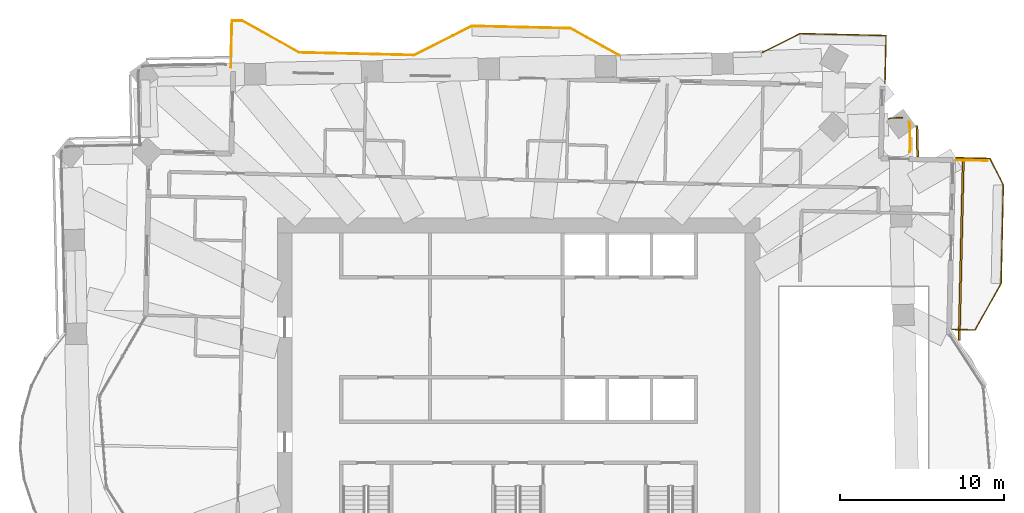
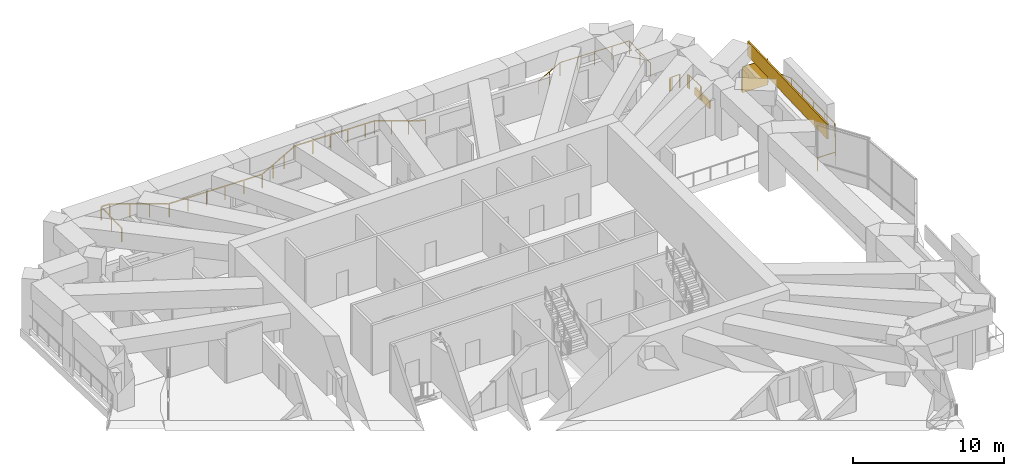
# One storey, part 17 of 17: 5 railings, 2 coverings, 1 shading device.
"""IFC4 building model written with IfcOpenShell, lengths in metres."""

import ifcopenshell
import ifcopenshell.guid

model = None  # the IFC model being written
_history = None  # IfcOwnerHistory: only IFC2X3 demands one
_inside = {}  # id of a spatial element -> (the spatial element, [elements in it])
_under = {}  # id of a project, library or spatial element -> (it, [spatial elements below it])
_declared = {}  # id of a project -> (the project, [libraries it declares])
_typed = {}  # id of a type object -> (the type object, [elements of that type])
_made_of = {}  # id of a material, layer set ... -> (it, [elements and type objects made of it])


def new_model(schema):
    """Start an empty IFC model of exactly this schema.

    Asked for "IFC4X3", IfcOpenShell would pick the latest addendum, in which some entities
    have other attributes; the version numbers below select the first issue.
    IFC2X3 requires an IfcOwnerHistory on every rooted entity: one is made here for all.
    """
    global model, _history
    if schema == "IFC4X3":
        model = ifcopenshell.file(schema_version=(4, 3, 0, 0))
    else:
        model = ifcopenshell.file(schema=schema)
    _inside.clear()
    _under.clear()
    _declared.clear()
    _typed.clear()
    _made_of.clear()
    _history = None
    if model.schema == "IFC2X3":
        org = make("IfcOrganization", Name="unknown")
        user = make(
            "IfcPersonAndOrganization",
            ThePerson=make("IfcPerson", FamilyName="unknown"),
            TheOrganization=org,
        )
        app = make(
            "IfcApplication",
            ApplicationDeveloper=org,
            Version="unknown",
            ApplicationFullName="unknown",
            ApplicationIdentifier="unknown",
        )
        _history = make(
            "IfcOwnerHistory",
            OwningUser=user,
            OwningApplication=app,
            ChangeAction="ADDED",
            CreationDate=0,
        )
    return model


def make(cls, **values):
    """One entity of the class cls with the attributes given. An attribute that is None is left unset."""
    return model.create_entity(
        cls, **{name: value for name, value in values.items() if value is not None}
    )


def rooted(cls, **values):
    """An entity with a GlobalId (a new one), such as an element, a storey or a relation."""
    return make(cls, GlobalId=ifcopenshell.guid.new(), OwnerHistory=_history, **values)


def si_unit(unit_type, name, prefix=None):
    """IfcSIUnit, for example si_unit("LENGTHUNIT", "METRE", prefix="MILLI")."""
    return make("IfcSIUnit", UnitType=unit_type, Prefix=prefix, Name=name)


def assignment(units):
    """IfcUnitAssignment: the units of a project."""
    return None if units is None else make("IfcUnitAssignment", Units=units)


def point(xyz):
    """IfcCartesianPoint."""
    return None if xyz is None else make("IfcCartesianPoint", Coordinates=xyz)


def direction(xyz):
    """IfcDirection."""
    return None if xyz is None else make("IfcDirection", DirectionRatios=xyz)


def frame(location, z_axis=None, x_axis=None):
    """IfcAxis2Placement3D, a coordinate frame: its origin and axes. An axis left out is left unset."""
    return make(
        "IfcAxis2Placement3D",
        Location=point(location),
        Axis=direction(z_axis),
        RefDirection=direction(x_axis),
    )


def frame_2d(location, x_axis=None):
    """IfcAxis2Placement2D, a coordinate frame in the plane: its origin and x axis."""
    return make(
        "IfcAxis2Placement2D", Location=point(location), RefDirection=direction(x_axis)
    )


def origin():
    """The frame at (0, 0, 0) with its axes left unset."""
    return frame((0.0, 0.0, 0.0))


def origin_2d():
    """The frame at (0, 0) in the plane with its x axis left unset."""
    return frame_2d((0.0, 0.0))


def place(relative_to, where):
    """IfcLocalPlacement: puts the frame where relative to a parent placement (None: the world)."""
    return make(
        "IfcLocalPlacement", PlacementRelTo=relative_to, RelativePlacement=where
    )


def context(
    kind, dimensions, precision=None, world=None, true_north=None, identifier=None
):
    """IfcGeometricRepresentationContext, for example the 3D "Model" context."""
    return make(
        "IfcGeometricRepresentationContext",
        ContextIdentifier=identifier,
        ContextType=kind,
        CoordinateSpaceDimension=dimensions,
        Precision=precision,
        WorldCoordinateSystem=world,
        TrueNorth=true_north,
    )


def subcontext(parent, identifier, kind, view, scale=None):
    """IfcGeometricRepresentationSubContext, for example "Body" below "Model"."""
    return make(
        "IfcGeometricRepresentationSubContext",
        ContextIdentifier=identifier,
        ContextType=kind,
        ParentContext=parent,
        TargetScale=scale,
        TargetView=view,
    )


def project(units=None, contexts=None):
    """IfcProject with its units and contexts."""
    return rooted(
        "IfcProject",
        Name="project",
        RepresentationContexts=contexts,
        UnitsInContext=assignment(units),
    )


def spatial(cls, under=None, at=None, **own):
    """A site, building, storey or space (cls), placed at a placement, below another one or the project."""
    s = rooted(cls, ObjectPlacement=at, **own)
    if under is not None:
        _under.setdefault(under.id(), (under, []))[1].append(s)
    return s


def profile(cls, at=None, kind="AREA", **sizes):
    """A parametric profile (cls). Its sizes go by their IFC names, for example OverallWidth=200.0."""
    return make(cls, ProfileType=kind, Position=at, **sizes)


def rectangle(**sizes):
    """IfcRectangleProfileDef."""
    return profile("IfcRectangleProfileDef", **sizes)


def extrude(swept, where, along, depth):
    """IfcExtrudedAreaSolid: the profile swept, set in the frame where, extruded along a direction by depth."""
    return make(
        "IfcExtrudedAreaSolid",
        SweptArea=swept,
        Position=where,
        ExtrudedDirection=direction(along),
        Depth=depth,
    )


def shape(context_of_items, identifier, shape_type, items):
    """IfcShapeRepresentation: the items that make up one representation, for example the "Body"."""
    return make(
        "IfcShapeRepresentation",
        ContextOfItems=context_of_items,
        RepresentationIdentifier=identifier,
        RepresentationType=shape_type,
        Items=items,
    )


def material(Name=None, Category=None):
    """IfcMaterial."""
    return make("IfcMaterial", Name=Name, Category=Category)


def layer(
    of_material, thickness, ventilated=None, Name=None, Category=None, Priority=None
):
    """IfcMaterialLayer: one layer of a wall or slab, of a material (None: an air gap)."""
    return make(
        "IfcMaterialLayer",
        Material=of_material,
        LayerThickness=thickness,
        IsVentilated=ventilated,
        Name=Name,
        Category=Category,
        Priority=Priority,
    )


def layer_set(layers, Name=None):
    """IfcMaterialLayerSet."""
    return make("IfcMaterialLayerSet", MaterialLayers=layers, LayerSetName=Name)


def made_of(thing, what):
    """Note that an element or type object is made of a material, layer set ...; save() writes the relation."""
    if what is not None:
        _made_of.setdefault(what.id(), (what, []))[1].append(thing)
    return thing


def type_object(cls, material=None, **own):
    """A type object (cls), such as IfcWallType, which elements share."""
    return made_of(rooted(cls, **own), material)


def element(
    cls,
    number,
    at=None,
    inside=None,
    cuts=None,
    type_object=None,
    material=None,
    context=None,
    identifier="Body",
    shape_type=None,
    held_by="IfcProductDefinitionShape",
    body=None,
    shapes=None,
    **own,
):
    """One element of the class cls, such as IfcWall. Its Tag is "e" and its number.

    at: its placement. inside: the storey or other place that contains it. cuts: it is an
    opening in that element (IfcRelVoidsElement). A single representation is given by context,
    identifier, shape_type and body (its items); several are given by shapes. held_by: the class
    of the entity that holds the representations. save() writes the other relations.
    """
    e = rooted(cls, Tag="e%d" % number, ObjectPlacement=at, **own)
    if body is not None:
        shapes = [shape(context, identifier, shape_type, body)]
    if shapes is not None:
        e.Representation = make(held_by, Representations=shapes)
    if inside is not None:
        _inside.setdefault(inside.id(), (inside, []))[1].append(e)
    if cuts is not None:
        rooted(
            "IfcRelVoidsElement", RelatingBuildingElement=cuts, RelatedOpeningElement=e
        )
    if type_object is not None:
        _typed.setdefault(type_object.id(), (type_object, []))[1].append(e)
    return made_of(e, material)


def aggregate(whole, parts):
    """IfcRelAggregates: a whole, such as a stair, and the parts it consists of."""
    return rooted("IfcRelAggregates", RelatingObject=whole, RelatedObjects=parts)


def save(model, path):
    """Write the relations noted so far, then the file.

    IfcRelAggregates (storeys below a building ...), IfcRelContainedInSpatialStructure (elements
    in a storey), IfcRelDefinesByType, IfcRelAssociatesMaterial and IfcRelDeclares: one each for
    every whole, place, type object, material and project.
    """
    for whole, parts in _under.values():
        aggregate(whole, parts)
    for where, things in _inside.values():
        rooted(
            "IfcRelContainedInSpatialStructure",
            RelatedElements=things,
            RelatingStructure=where,
        )
    for kind, things in _typed.values():
        rooted("IfcRelDefinesByType", RelatedObjects=things, RelatingType=kind)
    for what, things in _made_of.values():
        rooted("IfcRelAssociatesMaterial", RelatedObjects=things, RelatingMaterial=what)
    for by, libraries in _declared.values():
        rooted("IfcRelDeclares", RelatingContext=by, RelatedDefinitions=libraries)
    model.write(path)


model = new_model("IFC4")

# Units and contexts
model_context = context("Model", 3, precision=1e-05, world=origin(), true_north=direction((0.0, 1.0)))
body_context = subcontext(model_context, "Body", "Model", "MODEL_VIEW")
ifc_project = project(units=[si_unit("LENGTHUNIT", "METRE"), si_unit("AREAUNIT", "SQUARE_METRE"), si_unit("VOLUMEUNIT", "CUBIC_METRE"), si_unit("PLANEANGLEUNIT", "RADIAN"), si_unit("MASSUNIT", "GRAM", prefix="KILO")], contexts=[model_context])

# Site, building, storey
site_placement = place(None, origin())
site = spatial("IfcSite", under=ifc_project, at=site_placement, CompositionType="ELEMENT")
building_placement = place(site_placement, origin())
building = spatial("IfcBuilding", under=site, at=building_placement, Name="Mangrove Gate Tower", CompositionType="ELEMENT")
storey_placement = place(building_placement, frame((0.0, 0.0, 148.10009765625)))
storey = spatial("IfcBuildingStorey", under=building, at=storey_placement, Name="L37", CompositionType="ELEMENT", Elevation=148.10009765625)

# Railings
ifc_material_1 = material(Name="Stainless steel grade 316 with laminated glass infill", Category="steel")
railing_type = type_object("IfcRailingType", Name="Balcony guard 1100", PredefinedType="GUARDRAIL", material=ifc_material_1)
railing_1_placement = place(storey_placement, frame((26.43505859375, 4.9130859375, 0.0)))
element("IfcRailing", 1, at=railing_1_placement, inside=storey, type_object=railing_type, Name="GUARD L37 E2", PredefinedType="GUARDRAIL", context=body_context, shape_type="SweptSolid", body=[
    extrude(rectangle(XDim=0.048095703125, YDim=0.048095703125, at=origin_2d()), frame((0.0, 0.0, 1.076171875), z_axis=(0.999751267222, -0.022302548909, 0.0), x_axis=(0.022302548909, 0.999751267222, 0.0)), (0.0, 0.0, 1.0), 1.39013671875),
    extrude(rectangle(XDim=0.048095703125, YDim=0.048095703125, at=origin_2d()), frame((1.389892578125, -0.031005859375, 1.076171875), z_axis=(0.487350185664, 0.873206617321, 0.0), x_axis=(-0.873206617321, 0.487350185664, 0.0)), (0.0, 0.0, 1.0), 3.252197265625),
    extrude(rectangle(XDim=0.048095703125, YDim=0.048095703125, at=origin_2d()), frame((2.974853515625, 2.808837890625, 1.076171875), z_axis=(0.022665943652, 0.999743094499, 0.0), x_axis=(-0.999743094499, 0.022665943652, 0.0)), (0.0, 0.0, 1.0), 5.99951171875),
    extrude(rectangle(XDim=0.048095703125, YDim=0.048095703125, at=origin_2d()), frame((3.11083984375, 8.806884765625, 1.076171875), z_axis=(-0.446889830742, 0.894589000145, 0.0), x_axis=(-0.894589000145, -0.446889830742, 0.0)), (0.0, 0.0, 1.0), 1.809814453125),
    extrude(rectangle(XDim=0.048095703125, YDim=0.048095703125, at=origin_2d()), frame((2.302001953125, 10.426025390625, 1.076171875), z_axis=(-0.999752827486, 0.022232497228, 0.0), x_axis=(-0.022232497228, -0.999752827486, 0.0)), (0.0, 0.0, 1.0), 2.064453125),
    extrude(rectangle(XDim=0.0419921875, YDim=0.0419921875, at=origin_2d()), origin(), (0.0, 0.0, 1.0), 1.052001953125),
    extrude(rectangle(XDim=0.0419921875, YDim=0.0419921875, at=origin_2d()), frame((1.389892578125, -0.031005859375, 0.0)), (0.0, 0.0, 1.0), 1.052001953125),
    extrude(rectangle(XDim=0.0419921875, YDim=0.0419921875, at=origin_2d()), frame((1.918212890625, 0.91552734375, 0.0)), (0.0, 0.0, 1.0), 1.052001953125),
    extrude(rectangle(XDim=0.0419921875, YDim=0.0419921875, at=origin_2d()), frame((2.446533203125, 1.8623046875, 0.0)), (0.0, 0.0, 1.0), 1.052001953125),
    extrude(rectangle(XDim=0.0419921875, YDim=0.0419921875, at=origin_2d()), frame((2.974853515625, 2.808837890625, 0.0)), (0.0, 0.0, 1.0), 1.052001953125),
    extrude(rectangle(XDim=0.0419921875, YDim=0.0419921875, at=origin_2d()), frame((3.0087890625, 4.308349609375, 0.0)), (0.0, 0.0, 1.0), 1.052001953125),
    extrude(rectangle(XDim=0.0419921875, YDim=0.0419921875, at=origin_2d()), frame((3.04296875, 5.807861328125, 0.0)), (0.0, 0.0, 1.0), 1.052001953125),
    extrude(rectangle(XDim=0.0419921875, YDim=0.0419921875, at=origin_2d()), frame((3.076904296875, 7.307373046875, 0.0)), (0.0, 0.0, 1.0), 1.052001953125),
    extrude(rectangle(XDim=0.0419921875, YDim=0.0419921875, at=origin_2d()), frame((3.11083984375, 8.806884765625, 0.0)), (0.0, 0.0, 1.0), 1.052001953125),
    extrude(rectangle(XDim=0.0419921875, YDim=0.0419921875, at=origin_2d()), frame((2.70654296875, 9.616455078125, 0.0)), (0.0, 0.0, 1.0), 1.052001953125),
    extrude(rectangle(XDim=0.0419921875, YDim=0.0419921875, at=origin_2d()), frame((2.302001953125, 10.426025390625, 0.0)), (0.0, 0.0, 1.0), 1.052001953125),
    extrude(rectangle(XDim=0.0419921875, YDim=0.0419921875, at=origin_2d()), frame((1.27001953125, 10.448974609375, 0.0)), (0.0, 0.0, 1.0), 1.052001953125),
    extrude(rectangle(XDim=0.0419921875, YDim=0.0419921875, at=origin_2d()), frame((0.238037109375, 10.471923828125, 0.0)), (0.0, 0.0, 1.0), 1.052001953125),
])
railing_2_placement = place(storey_placement, frame((22.3349609375, 19.925048828125, 0.0)))
element("IfcRailing", 2, at=railing_2_placement, inside=storey, type_object=railing_type, Name="GUARD L37 N1", PredefinedType="GUARDRAIL", context=body_context, shape_type="SweptSolid", body=[
    extrude(rectangle(XDim=0.048095703125, YDim=0.048095703125, at=origin_2d()), frame((0.0, 0.0, 1.076171875), z_axis=(0.022654696127, 0.999743349437, 0.0), x_axis=(-0.999743349437, 0.022654696127, 0.0)), (0.0, 0.0, 1.0), 2.90966796875),
    extrude(rectangle(XDim=0.048095703125, YDim=0.048095703125, at=origin_2d()), frame((0.06591796875, 2.908935546875, 1.076171875), z_axis=(-0.999742556631, 0.022689655377, 0.0), x_axis=(-0.022689655377, -0.999742556631, 0.0)), (0.0, 0.0, 1.0), 5.240234375),
    extrude(rectangle(XDim=0.048095703125, YDim=0.048095703125, at=origin_2d()), frame((-5.1728515625, 3.02783203125, 1.076171875), z_axis=(-0.894599845489, -0.446868119752, 0.0), x_axis=(0.446868119752, -0.894599845489, 0.0)), (0.0, 0.0, 1.0), 2.544189453125),
    extrude(rectangle(XDim=0.0419921875, YDim=0.0419921875, at=origin_2d()), origin(), (0.0, 0.0, 1.0), 1.052001953125),
    extrude(rectangle(XDim=0.0419921875, YDim=0.0419921875, at=origin_2d()), frame((0.032958984375, 1.45458984375, 0.0)), (0.0, 0.0, 1.0), 1.052001953125),
    extrude(rectangle(XDim=0.0419921875, YDim=0.0419921875, at=origin_2d()), frame((0.06591796875, 2.908935546875, 0.0)), (0.0, 0.0, 1.0), 1.052001953125),
    extrude(rectangle(XDim=0.0419921875, YDim=0.0419921875, at=origin_2d()), frame((-1.24365234375, 2.938720703125, 0.0)), (0.0, 0.0, 1.0), 1.052001953125),
    extrude(rectangle(XDim=0.0419921875, YDim=0.0419921875, at=origin_2d()), frame((-2.553466796875, 2.96826171875, 0.0)), (0.0, 0.0, 1.0), 1.052001953125),
    extrude(rectangle(XDim=0.0419921875, YDim=0.0419921875, at=origin_2d()), frame((-3.86328125, 2.998046875, 0.0)), (0.0, 0.0, 1.0), 1.052001953125),
    extrude(rectangle(XDim=0.0419921875, YDim=0.0419921875, at=origin_2d()), frame((-5.1728515625, 3.02783203125, 0.0)), (0.0, 0.0, 1.0), 1.052001953125),
    extrude(rectangle(XDim=0.0419921875, YDim=0.0419921875, at=origin_2d()), frame((-6.31103515625, 2.45947265625, 0.0)), (0.0, 0.0, 1.0), 1.052001953125),
    extrude(rectangle(XDim=0.0419921875, YDim=0.0419921875, at=origin_2d()), frame((-7.448974609375, 1.890869140625, 0.0)), (0.0, 0.0, 1.0), 1.052001953125),
])
railing_3_placement = place(storey_placement, frame((6.114990234375, 21.625, 0.0)))
element("IfcRailing", 3, at=railing_3_placement, inside=storey, type_object=railing_type, Name="GUARD L37 N2", PredefinedType="GUARDRAIL", context=body_context, shape_type="SweptSolid", body=[
    extrude(rectangle(XDim=0.048095703125, YDim=0.048095703125, at=origin_2d()), frame((0.0, 0.0, 1.076171875), z_axis=(-0.87319054745, 0.487378977639, 0.0), x_axis=(-0.487378977639, -0.87319054745, 0.0)), (0.0, 0.0, 1.0), 3.377197265625),
    extrude(rectangle(XDim=0.048095703125, YDim=0.048095703125, at=origin_2d()), frame((-2.948974609375, 1.64599609375, 1.076171875), z_axis=(-0.999735131741, 0.023014481582, 0.0), x_axis=(-0.023014481582, -0.999735131741, 0.0)), (0.0, 0.0, 1.0), 0.7001953125),
    extrude(rectangle(XDim=0.048095703125, YDim=0.048095703125, at=origin_2d()), frame((-3.64892578125, 1.662109375, 1.076171875), z_axis=(-0.999744231672, 0.022615729912, 0.0), x_axis=(-0.022615729912, -0.999744231672, 0.0)), (0.0, 0.0, 1.0), 5.300537109375),
    extrude(rectangle(XDim=0.048095703125, YDim=0.048095703125, at=origin_2d()), frame((-8.947998046875, 1.781982421875, 1.076171875), z_axis=(-0.894476522376, -0.447114919141, 0.0), x_axis=(0.447114919141, -0.894476522376, 0.0)), (0.0, 0.0, 1.0), 3.958740234375),
    extrude(rectangle(XDim=0.048095703125, YDim=0.048095703125, at=origin_2d()), frame((-12.489013671875, 0.011962890625, 1.076171875), z_axis=(-0.999742195543, 0.022705559911, 0.0), x_axis=(-0.022705559911, -0.999742195543, 0.0)), (0.0, 0.0, 1.0), 6.999755859375),
    extrude(rectangle(XDim=0.048095703125, YDim=0.048095703125, at=origin_2d()), frame((-19.487060546875, 0.1708984375, 1.076171875), z_axis=(-0.873230657876, 0.487307108654, 0.0), x_axis=(-0.487307108654, -0.873230657876, 0.0)), (0.0, 0.0, 1.0), 3.958984375),
    extrude(rectangle(XDim=0.048095703125, YDim=0.048095703125, at=origin_2d()), frame((-22.944091796875, 2.10009765625, 1.076171875), z_axis=(-0.999763608608, 0.021742283743, 0.0), x_axis=(-0.021742283743, -0.999763608608, 0.0)), (0.0, 0.0, 1.0), 0.64013671875),
    extrude(rectangle(XDim=0.048095703125, YDim=0.048095703125, at=origin_2d()), frame((-23.583984375, 2.114013671875, 1.076171875), z_axis=(-0.022549361353, -0.999745730825, 0.0), x_axis=(0.999745730825, -0.022549361353, 0.0)), (0.0, 0.0, 1.0), 2.836669921875),
    extrude(rectangle(XDim=0.0419921875, YDim=0.0419921875, at=origin_2d()), origin(), (0.0, 0.0, 1.0), 1.052001953125),
    extrude(rectangle(XDim=0.0419921875, YDim=0.0419921875, at=origin_2d()), frame((-0.98291015625, 0.548583984375, 0.0)), (0.0, 0.0, 1.0), 1.052001953125),
    extrude(rectangle(XDim=0.0419921875, YDim=0.0419921875, at=origin_2d()), frame((-1.966064453125, 1.097412109375, 0.0)), (0.0, 0.0, 1.0), 1.052001953125),
    extrude(rectangle(XDim=0.0419921875, YDim=0.0419921875, at=origin_2d()), frame((-2.948974609375, 1.64599609375, 0.0)), (0.0, 0.0, 1.0), 1.052001953125),
    extrude(rectangle(XDim=0.0419921875, YDim=0.0419921875, at=origin_2d()), frame((-3.64892578125, 1.662109375, 0.0)), (0.0, 0.0, 1.0), 1.052001953125),
    extrude(rectangle(XDim=0.0419921875, YDim=0.0419921875, at=origin_2d()), frame((-4.9736328125, 1.692138671875, 0.0)), (0.0, 0.0, 1.0), 1.052001953125),
    extrude(rectangle(XDim=0.0419921875, YDim=0.0419921875, at=origin_2d()), frame((-6.29833984375, 1.72216796875, 0.0)), (0.0, 0.0, 1.0), 1.052001953125),
    extrude(rectangle(XDim=0.0419921875, YDim=0.0419921875, at=origin_2d()), frame((-7.623291015625, 1.751953125, 0.0)), (0.0, 0.0, 1.0), 1.052001953125),
    extrude(rectangle(XDim=0.0419921875, YDim=0.0419921875, at=origin_2d()), frame((-8.947998046875, 1.781982421875, 0.0)), (0.0, 0.0, 1.0), 1.052001953125),
    extrude(rectangle(XDim=0.0419921875, YDim=0.0419921875, at=origin_2d()), frame((-10.12841796875, 1.19189453125, 0.0)), (0.0, 0.0, 1.0), 1.052001953125),
    extrude(rectangle(XDim=0.0419921875, YDim=0.0419921875, at=origin_2d()), frame((-11.30859375, 0.60205078125, 0.0)), (0.0, 0.0, 1.0), 1.052001953125),
    extrude(rectangle(XDim=0.0419921875, YDim=0.0419921875, at=origin_2d()), frame((-12.489013671875, 0.011962890625, 0.0)), (0.0, 0.0, 1.0), 1.052001953125),
    extrude(rectangle(XDim=0.0419921875, YDim=0.0419921875, at=origin_2d()), frame((-13.888671875, 0.043701171875, 0.0)), (0.0, 0.0, 1.0), 1.052001953125),
    extrude(rectangle(XDim=0.0419921875, YDim=0.0419921875, at=origin_2d()), frame((-15.288330078125, 0.075439453125, 0.0)), (0.0, 0.0, 1.0), 1.052001953125),
    extrude(rectangle(XDim=0.0419921875, YDim=0.0419921875, at=origin_2d()), frame((-16.687744140625, 0.107421875, 0.0)), (0.0, 0.0, 1.0), 1.052001953125),
    extrude(rectangle(XDim=0.0419921875, YDim=0.0419921875, at=origin_2d()), frame((-18.08740234375, 0.13916015625, 0.0)), (0.0, 0.0, 1.0), 1.052001953125),
    extrude(rectangle(XDim=0.0419921875, YDim=0.0419921875, at=origin_2d()), frame((-19.487060546875, 0.1708984375, 0.0)), (0.0, 0.0, 1.0), 1.052001953125),
    extrude(rectangle(XDim=0.0419921875, YDim=0.0419921875, at=origin_2d()), frame((-20.639404296875, 0.81396484375, 0.0)), (0.0, 0.0, 1.0), 1.052001953125),
    extrude(rectangle(XDim=0.0419921875, YDim=0.0419921875, at=origin_2d()), frame((-21.791748046875, 1.45703125, 0.0)), (0.0, 0.0, 1.0), 1.052001953125),
    extrude(rectangle(XDim=0.0419921875, YDim=0.0419921875, at=origin_2d()), frame((-22.944091796875, 2.10009765625, 0.0)), (0.0, 0.0, 1.0), 1.052001953125),
    extrude(rectangle(XDim=0.0419921875, YDim=0.0419921875, at=origin_2d()), frame((-23.583984375, 2.114013671875, 0.0)), (0.0, 0.0, 1.0), 1.052001953125),
    extrude(rectangle(XDim=0.0419921875, YDim=0.0419921875, at=origin_2d()), frame((-23.615966796875, 0.696044921875, 0.0)), (0.0, 0.0, 1.0), 1.052001953125),
    extrude(rectangle(XDim=0.0419921875, YDim=0.0419921875, at=origin_2d()), frame((-23.64794921875, -0.721923828125, 0.0)), (0.0, 0.0, 1.0), 1.052001953125),
])
railing_4_placement = place(storey_placement, frame((23.79296875, 17.548095703125, 0.0)))
element("IfcRailing", 4, at=railing_4_placement, inside=storey, type_object=railing_type, Name="GUARD L37 T1.1", PredefinedType="GUARDRAIL", context=body_context, shape_type="SweptSolid", body=[
    extrude(rectangle(XDim=0.048095703125, YDim=0.048095703125, at=origin_2d()), frame((0.0, 0.0, 1.076171875), z_axis=(0.457543063646, -0.889187463311, 0.0), x_axis=(0.889187463311, 0.457543063646, 0.0)), (0.0, 0.0, 1.0), 0.0283203125),
    extrude(rectangle(XDim=0.048095703125, YDim=0.048095703125, at=origin_2d()), frame((0.012939453125, -0.025146484375, 1.076171875), z_axis=(0.348937359118, -0.937146050203, 0.0), x_axis=(0.937146050203, 0.348937359118, 0.0)), (0.0, 0.0, 1.0), 0.049072265625),
    extrude(rectangle(XDim=0.048095703125, YDim=0.048095703125, at=origin_2d()), frame((0.030029296875, -0.071044921875, 1.076171875), z_axis=(0.264808083684, -0.964301134924, 0.0), x_axis=(0.964301134924, 0.264808083684, 0.0)), (0.0, 0.0, 1.0), 0.048828125),
    extrude(rectangle(XDim=0.048095703125, YDim=0.048095703125, at=origin_2d()), frame((0.04296875, -0.1181640625, 1.076171875), z_axis=(0.162798782993, -0.986659290868, 0.0), x_axis=(0.986659290868, 0.162798782993, 0.0)), (0.0, 0.0, 1.0), 0.049560546875),
    extrude(rectangle(XDim=0.048095703125, YDim=0.048095703125, at=origin_2d()), frame((0.051025390625, -0.1669921875, 1.076171875), z_axis=(0.079350984209, -0.996846739125, 0.0), x_axis=(0.996846739125, 0.079350984209, 0.0)), (0.0, 0.0, 1.0), 0.04931640625),
    extrude(rectangle(XDim=0.048095703125, YDim=0.048095703125, at=origin_2d()), frame((0.054931640625, -0.216064453125, 1.076171875), z_axis=(0.022790704144, -0.999740258169, 0.0), x_axis=(0.999740258169, 0.022790704144, 0.0)), (0.0, 0.0, 1.0), 1.3603515625),
    extrude(rectangle(XDim=0.048095703125, YDim=0.048095703125, at=origin_2d()), frame((0.0859375, -1.576171875, 1.076171875), z_axis=(-0.038249501247, -0.999268220076, 0.0), x_axis=(0.999268220076, -0.038249501247, 0.0)), (0.0, 0.0, 1.0), 0.051025390625),
    extrude(rectangle(XDim=0.048095703125, YDim=0.048095703125, at=origin_2d()), frame((0.083984375, -1.627197265625, 1.076171875), z_axis=(-0.116841247567, -0.993150604323, 0.0), x_axis=(0.993150604323, -0.116841247567, 0.0)), (0.0, 0.0, 1.0), 0.050048828125),
    extrude(rectangle(XDim=0.048095703125, YDim=0.048095703125, at=origin_2d()), frame((0.078125, -1.677001953125, 1.076171875), z_axis=(-0.241399461295, -0.970425834408, 0.0), x_axis=(0.970425834408, -0.241399461295, 0.0)), (0.0, 0.0, 1.0), 0.050537109375),
    extrude(rectangle(XDim=0.048095703125, YDim=0.048095703125, at=origin_2d()), frame((0.06591796875, -1.72607421875, 1.076171875), z_axis=(-0.313333982663, -0.949642993608, 0.0), x_axis=(0.949642993608, -0.313333982663, 0.0)), (0.0, 0.0, 1.0), 0.050537109375),
    extrude(rectangle(XDim=0.048095703125, YDim=0.048095703125, at=origin_2d()), frame((0.050048828125, -1.774169921875, 1.076171875), z_axis=(-0.411288866935, -0.911505056451, 0.0), x_axis=(0.911505056451, -0.411288866935, 0.0)), (0.0, 0.0, 1.0), 0.02197265625),
    extrude(rectangle(XDim=0.0419921875, YDim=0.0419921875, at=origin_2d()), origin(), (0.0, 0.0, 1.0), 1.052001953125),
    extrude(rectangle(XDim=0.0419921875, YDim=0.0419921875, at=origin_2d()), frame((0.012939453125, -0.025146484375, 0.0)), (0.0, 0.0, 1.0), 1.052001953125),
    extrude(rectangle(XDim=0.0419921875, YDim=0.0419921875, at=origin_2d()), frame((0.030029296875, -0.071044921875, 0.0)), (0.0, 0.0, 1.0), 1.052001953125),
    extrude(rectangle(XDim=0.0419921875, YDim=0.0419921875, at=origin_2d()), frame((0.04296875, -0.1181640625, 0.0)), (0.0, 0.0, 1.0), 1.052001953125),
    extrude(rectangle(XDim=0.0419921875, YDim=0.0419921875, at=origin_2d()), frame((0.051025390625, -0.1669921875, 0.0)), (0.0, 0.0, 1.0), 1.052001953125),
    extrude(rectangle(XDim=0.0419921875, YDim=0.0419921875, at=origin_2d()), frame((0.054931640625, -0.216064453125, 0.0)), (0.0, 0.0, 1.0), 1.052001953125),
    extrude(rectangle(XDim=0.0419921875, YDim=0.0419921875, at=origin_2d()), frame((0.0859375, -1.576171875, 0.0)), (0.0, 0.0, 1.0), 1.052001953125),
    extrude(rectangle(XDim=0.0419921875, YDim=0.0419921875, at=origin_2d()), frame((0.083984375, -1.627197265625, 0.0)), (0.0, 0.0, 1.0), 1.052001953125),
    extrude(rectangle(XDim=0.0419921875, YDim=0.0419921875, at=origin_2d()), frame((0.078125, -1.677001953125, 0.0)), (0.0, 0.0, 1.0), 1.052001953125),
    extrude(rectangle(XDim=0.0419921875, YDim=0.0419921875, at=origin_2d()), frame((0.06591796875, -1.72607421875, 0.0)), (0.0, 0.0, 1.0), 1.052001953125),
    extrude(rectangle(XDim=0.0419921875, YDim=0.0419921875, at=origin_2d()), frame((0.050048828125, -1.774169921875, 0.0)), (0.0, 0.0, 1.0), 1.052001953125),
    extrude(rectangle(XDim=0.0419921875, YDim=0.0419921875, at=origin_2d()), frame((0.041015625, -1.794189453125, 0.0)), (0.0, 0.0, 1.0), 1.052001953125),
])
railing_5_placement = place(storey_placement, frame((22.549072265625, 17.7529296875, 0.0)))
element("IfcRailing", 5, at=railing_5_placement, inside=storey, type_object=railing_type, Name="GUARD L37 T1.2", PredefinedType="GUARDRAIL", context=body_context, shape_type="SweptSolid", body=[
    extrude(rectangle(XDim=0.048095703125, YDim=0.048095703125, at=origin_2d()), frame((0.0, 0.0, 1.076171875), z_axis=(0.892970492237, 0.450115207469, 0.0), x_axis=(-0.450115207469, 0.892970492237, 0.0)), (0.0, 0.0, 1.0), 0.03369140625),
    extrude(rectangle(XDim=0.048095703125, YDim=0.048095703125, at=origin_2d()), frame((0.030029296875, 0.01513671875, 1.076171875), z_axis=(0.942895690568, 0.333088151559, 0.0), x_axis=(-0.333088151559, 0.942895690568, 0.0)), (0.0, 0.0, 1.0), 0.047607421875),
    extrude(rectangle(XDim=0.048095703125, YDim=0.048095703125, at=origin_2d()), frame((0.074951171875, 0.031005859375, 1.076171875), z_axis=(0.961137155389, 0.27607131059, 0.0), x_axis=(-0.27607131059, 0.961137155389, 0.0)), (0.0, 0.0, 1.0), 0.0478515625),
    extrude(rectangle(XDim=0.048095703125, YDim=0.048095703125, at=origin_2d()), frame((0.120849609375, 0.044189453125, 1.076171875), z_axis=(0.98963949113, 0.1435746412, 0.0), x_axis=(-0.1435746412, 0.98963949113, 0.0)), (0.0, 0.0, 1.0), 0.047607421875),
    extrude(rectangle(XDim=0.048095703125, YDim=0.048095703125, at=origin_2d()), frame((0.16796875, 0.051025390625, 1.076171875), z_axis=(0.996103084494, 0.088196627273, 0.0), x_axis=(-0.088196627273, 0.996103084494, 0.0)), (0.0, 0.0, 1.0), 0.047119140625),
    extrude(rectangle(XDim=0.048095703125, YDim=0.048095703125, at=origin_2d()), frame((0.21484375, 0.05517578125, 1.076171875), z_axis=(0.999745123671, 0.022576263977, 0.0), x_axis=(-0.022576263977, 0.999745123671, 0.0)), (0.0, 0.0, 1.0), 0.5732421875),
    extrude(rectangle(XDim=0.048095703125, YDim=0.048095703125, at=origin_2d()), frame((0.787841796875, 0.068115234375, 1.076171875), z_axis=(0.999208880195, -0.039769507669, 0.0), x_axis=(0.039769507669, 0.999208880195, 0.0)), (0.0, 0.0, 1.0), 0.049072265625),
    extrude(rectangle(XDim=0.0419921875, YDim=0.0419921875, at=origin_2d()), origin(), (0.0, 0.0, 1.0), 1.052001953125),
    extrude(rectangle(XDim=0.0419921875, YDim=0.0419921875, at=origin_2d()), frame((0.030029296875, 0.01513671875, 0.0)), (0.0, 0.0, 1.0), 1.052001953125),
    extrude(rectangle(XDim=0.0419921875, YDim=0.0419921875, at=origin_2d()), frame((0.074951171875, 0.031005859375, 0.0)), (0.0, 0.0, 1.0), 1.052001953125),
    extrude(rectangle(XDim=0.0419921875, YDim=0.0419921875, at=origin_2d()), frame((0.120849609375, 0.044189453125, 0.0)), (0.0, 0.0, 1.0), 1.052001953125),
    extrude(rectangle(XDim=0.0419921875, YDim=0.0419921875, at=origin_2d()), frame((0.16796875, 0.051025390625, 0.0)), (0.0, 0.0, 1.0), 1.052001953125),
    extrude(rectangle(XDim=0.0419921875, YDim=0.0419921875, at=origin_2d()), frame((0.21484375, 0.05517578125, 0.0)), (0.0, 0.0, 1.0), 1.052001953125),
    extrude(rectangle(XDim=0.0419921875, YDim=0.0419921875, at=origin_2d()), frame((0.787841796875, 0.068115234375, 0.0)), (0.0, 0.0, 1.0), 1.052001953125),
    extrude(rectangle(XDim=0.0419921875, YDim=0.0419921875, at=origin_2d()), frame((0.8369140625, 0.066162109375, 0.0)), (0.0, 0.0, 1.0), 1.052001953125),
])

# Shading device
ifc_material_2 = material(Name="Timber slat screen in teak", Category="wood")
shading_device_type = type_object("IfcShadingDeviceType", Name="Balcony screen 2100", PredefinedType="USERDEFINED", material=ifc_material_2)
shading_device_placement = place(storey_placement, frame((27.6220703125, 15.22412109375, -0.000244140625), z_axis=(0.0, 0.0, 1.0), x_axis=(0.999749296784, -0.022390702975, 0.0)))
element("IfcShadingDevice", 6, at=shading_device_placement, inside=storey, type_object=shading_device_type, Name="SCREEN L37 E1", ObjectType="SCREEN", PredefinedType="USERDEFINED", context=body_context, shape_type="SweptSolid", body=[
    extrude(rectangle(XDim=1.945068359375, YDim=0.050048828125, at=origin_2d()), origin(), (0.0, 0.0, 1.0), 2.10009765625),
])

# Coverings
ifc_material_3 = material(Name="Limestone", Category="masonry")
ifc_layer_1 = layer(ifc_material_3, 0.0400390625, Name="Limestone cladding")
ifc_material_4 = material(Name="Stainless steel anchors and cavity", Category="steel")
ifc_layer_2 = layer(ifc_material_4, 0.080078125, Name="Fixing cavity")
ifc_layer_set = layer_set([ifc_layer_1, ifc_layer_2], Name="Joint fascia cladding 120")
covering_type = type_object("IfcCoveringType", Name="Joint fascia cladding 120", PredefinedType="CLADDING", material=ifc_layer_set)
covering_1_placement = place(storey_placement, frame((26.85400390625, 4.250244140625, 2.849853515625), z_axis=(0.0, 0.0, 1.0), x_axis=(0.022682509357, 0.999742718788, 0.0)))
element("IfcCovering", 7, at=covering_1_placement, inside=storey, type_object=covering_type, Name="STONE FASCIA L37 E2.1", PredefinedType="CLADDING", context=body_context, shape_type="SweptSolid", body=[
    extrude(rectangle(XDim=10.978759765625, YDim=0.1201171875, at=frame_2d((5.4892578125, 0.0))), origin(), (0.0, 0.0, 1.0), 1.199951171875),
])
covering_2_placement = place(storey_placement, frame((24.280029296875, 17.342041015625, -0.60009765625), z_axis=(0.0, 0.0, 1.0), x_axis=(0.022730156671, -0.999741636613, 0.0)))
element("IfcCovering", 8, at=covering_2_placement, inside=storey, type_object=covering_type, Name="STONE FASCIA L37 TB41-1.1", PredefinedType="CLADDING", context=body_context, shape_type="SweptSolid", body=[
    extrude(rectangle(XDim=1.901123046875, YDim=0.1201171875, at=frame_2d((0.95068359375, 0.0))), origin(), (0.0, 0.0, 1.0), 0.60009765625),
])

save(model, "model.ifc")
